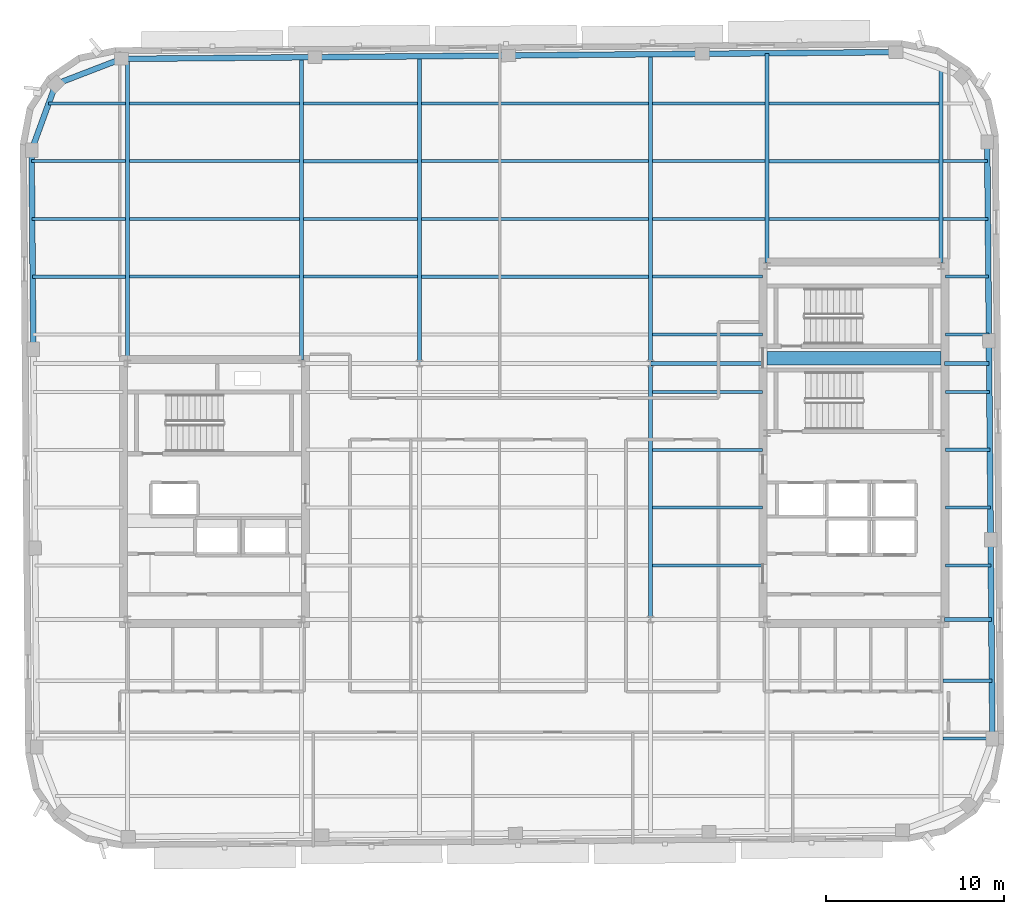
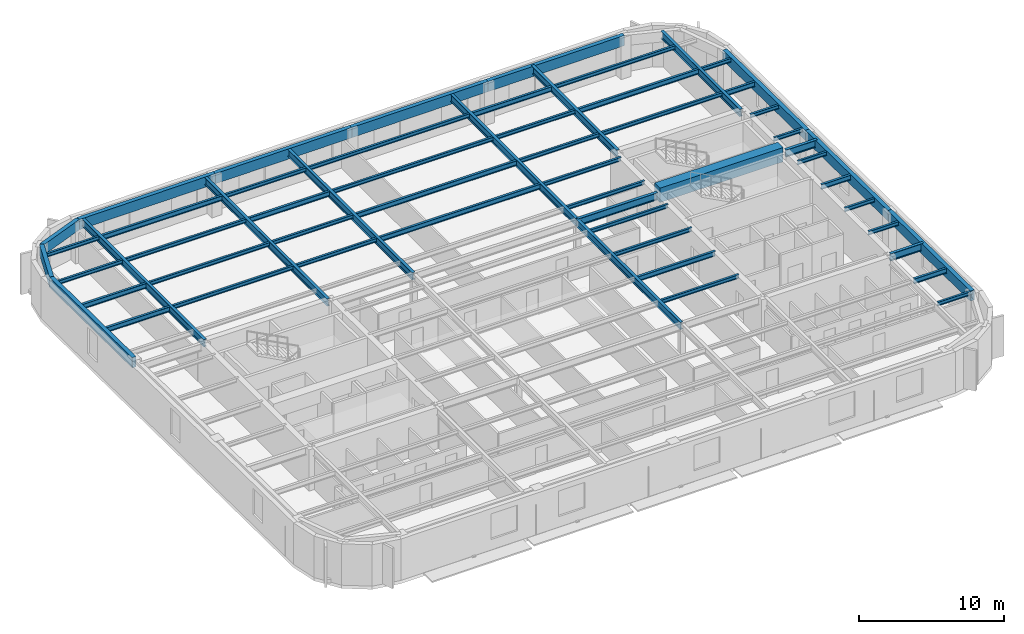
# One storey, part 5 of 15: 59 beams.
"""IFC4 building model written with IfcOpenShell, lengths in metres."""

from ifc_helpers import new_model, si_unit, direction, frame, origin, origin_2d, place, context, subcontext, project, spatial, rectangle, hollow_rectangle, i_section, extrude, material, material_profile, profile_set, type_object, element, save


model = new_model("IFC4")

# Units and contexts
model_context = context("Model", 3, precision=1e-05, world=origin(), true_north=direction((0.0, 1.0)))
body_context = subcontext(model_context, "Body", "Model", "MODEL_VIEW")
ifc_project = project(units=[si_unit("LENGTHUNIT", "METRE"), si_unit("AREAUNIT", "SQUARE_METRE"), si_unit("VOLUMEUNIT", "CUBIC_METRE"), si_unit("PLANEANGLEUNIT", "RADIAN"), si_unit("MASSUNIT", "GRAM", prefix="KILO")], contexts=[model_context])

# Site, building, storey
site_placement = place(None, origin())
site = spatial("IfcSite", under=ifc_project, at=site_placement, CompositionType="ELEMENT")
building_placement = place(site_placement, origin())
building = spatial("IfcBuilding", under=site, at=building_placement, Name="Kolvaren Arena Tower", CompositionType="ELEMENT")
storey_placement = place(building_placement, frame((0.0, 0.0, 282.39990234375)))
storey = spatial("IfcBuildingStorey", under=building, at=storey_placement, Name="L69", CompositionType="ELEMENT", Elevation=282.39990234375)

# Beams
ifc_material_1 = material(Name="Steel CSA G40.21 350W", Category="steel")
ifc_material_profile_1 = material_profile(ifc_material_1, i_section(OverallWidth=0.180908203125, OverallDepth=0.4169921875, WebThickness=0.010986328125, FlangeThickness=0.018310546875, FilletRadius=0.011962890625, at=origin_2d()), Name="W410x85")
ifc_profile_set_1 = profile_set([ifc_material_profile_1], Name="Steel CSA G40.21 350W")
beam_type_1 = type_object("IfcBeamType", Name="BEAM-F3", PredefinedType="BEAM", material=ifc_profile_set_1)
beam_1_placement = place(storey_placement, frame((60.464111328125, 16.0, 3.271484375), z_axis=(1.0, 0.0, 0.0), x_axis=(0.0, 1.0, 0.0)))
element("IfcBeam", 1, at=beam_1_placement, inside=storey, type_object=beam_type_1, Name="Composite Floor Beam (L69)", PredefinedType="BEAM", context=body_context, shape_type="SweptSolid", body=[
    extrude(i_section(OverallWidth=0.180908203125, OverallDepth=0.4169921875, WebThickness=0.010986328125, FlangeThickness=0.018310546875, FilletRadius=0.011962890625, at=origin_2d()), origin(), (0.0, 0.0, 1.0), 2.7529296875),
])
beam_2_placement = place(storey_placement, frame((44.114013671875, 25.75, 3.271484375), z_axis=(1.0, 0.0, 0.0), x_axis=(0.0, 1.0, 0.0)))
element("IfcBeam", 2, at=beam_2_placement, inside=storey, type_object=beam_type_1, Name="Composite Floor Beam (L69)", PredefinedType="BEAM", context=body_context, shape_type="SweptSolid", body=[
    extrude(i_section(OverallWidth=0.180908203125, OverallDepth=0.4169921875, WebThickness=0.010986328125, FlangeThickness=0.018310546875, FilletRadius=0.011962890625, at=origin_2d()), origin(), (0.0, 0.0, 1.0), 6.19091796875),
])
beam_3_placement = place(storey_placement, frame((60.594970703125, 29.0, 3.271484375), z_axis=(1.0, 0.0, 0.0), x_axis=(0.0, 1.0, 0.0)))
element("IfcBeam", 3, at=beam_3_placement, inside=storey, type_object=beam_type_1, Name="Composite Floor Beam (L69)", PredefinedType="BEAM", context=body_context, shape_type="SweptSolid", body=[
    extrude(i_section(OverallWidth=0.180908203125, OverallDepth=0.4169921875, WebThickness=0.010986328125, FlangeThickness=0.018310546875, FilletRadius=0.011962890625, at=origin_2d()), origin(), (0.0, 0.0, 1.0), 2.508544921875),
])
beam_4_placement = place(storey_placement, frame((9.216552734375, 38.75, 3.271484375), z_axis=(1.0, 0.0, 0.0), x_axis=(0.0, 1.0, 0.0)))
element("IfcBeam", 4, at=beam_4_placement, inside=storey, type_object=beam_type_1, Name="Composite Floor Beam (L69)", PredefinedType="BEAM", context=body_context, shape_type="SweptSolid", body=[
    extrude(i_section(OverallWidth=0.180908203125, OverallDepth=0.4169921875, WebThickness=0.010986328125, FlangeThickness=0.018310546875, FilletRadius=0.011962890625, at=origin_2d()), origin(), (0.0, 0.0, 1.0), 5.219482421875),
])
beam_5_placement = place(storey_placement, frame((31.114013671875, 38.75, 3.271484375), z_axis=(1.0, 0.0, 0.0), x_axis=(0.0, 1.0, 0.0)))
element("IfcBeam", 5, at=beam_5_placement, inside=storey, type_object=beam_type_1, Name="Composite Floor Beam (L69)", PredefinedType="BEAM", context=body_context, shape_type="SweptSolid", body=[
    extrude(i_section(OverallWidth=0.180908203125, OverallDepth=0.4169921875, WebThickness=0.010986328125, FlangeThickness=0.018310546875, FilletRadius=0.011962890625, at=origin_2d()), origin(), (0.0, 0.0, 1.0), 12.77197265625),
])
beam_6_placement = place(storey_placement, frame((9.18798828125, 42.0, 3.271484375), z_axis=(1.0, 0.0, 0.0), x_axis=(0.0, 1.0, 0.0)))
element("IfcBeam", 6, at=beam_6_placement, inside=storey, type_object=beam_type_1, Name="Composite Floor Beam (L69)", PredefinedType="BEAM", context=body_context, shape_type="SweptSolid", body=[
    extrude(i_section(OverallWidth=0.180908203125, OverallDepth=0.4169921875, WebThickness=0.010986328125, FlangeThickness=0.018310546875, FilletRadius=0.011962890625, at=origin_2d()), origin(), (0.0, 0.0, 1.0), 5.248046875),
])
beam_7_placement = place(storey_placement, frame((31.114013671875, 42.0, 3.271484375), z_axis=(1.0, 0.0, 0.0), x_axis=(0.0, 1.0, 0.0)))
element("IfcBeam", 7, at=beam_7_placement, inside=storey, type_object=beam_type_1, Name="Composite Floor Beam (L69)", PredefinedType="BEAM", context=body_context, shape_type="SweptSolid", body=[
    extrude(i_section(OverallWidth=0.180908203125, OverallDepth=0.4169921875, WebThickness=0.010986328125, FlangeThickness=0.018310546875, FilletRadius=0.011962890625, at=origin_2d()), origin(), (0.0, 0.0, 1.0), 12.77197265625),
])
beam_8_placement = place(storey_placement, frame((60.464111328125, 42.0, 3.271484375), z_axis=(1.0, 0.0, 0.0), x_axis=(0.0, 1.0, 0.0)))
element("IfcBeam", 8, at=beam_8_placement, inside=storey, type_object=beam_type_1, Name="Composite Floor Beam (L69)", PredefinedType="BEAM", context=body_context, shape_type="SweptSolid", body=[
    extrude(i_section(OverallWidth=0.180908203125, OverallDepth=0.4169921875, WebThickness=0.010986328125, FlangeThickness=0.018310546875, FilletRadius=0.011962890625, at=origin_2d()), origin(), (0.0, 0.0, 1.0), 2.526123046875),
])
beam_9_placement = place(storey_placement, frame((24.464111328125, 45.25, 3.271484375), z_axis=(1.0, 0.0, 0.0), x_axis=(0.0, 1.0, 0.0)))
element("IfcBeam", 9, at=beam_9_placement, inside=storey, type_object=beam_type_1, Name="Composite Floor Beam (L69)", PredefinedType="BEAM", context=body_context, shape_type="SweptSolid", body=[
    extrude(i_section(OverallWidth=0.180908203125, OverallDepth=0.4169921875, WebThickness=0.010986328125, FlangeThickness=0.018310546875, FilletRadius=0.011962890625, at=origin_2d()), origin(), (0.0, 0.0, 1.0), 6.421875),
])
for number, where, z_axis, x_axis, name in (
    (10, (50.6640625, 45.25, 3.271484375), (1.0, 0.0, 0.0), (0.0, 1.0, 0.0), "Composite Floor Beam (L69)"),
    (11, (14.6640625, 48.5, 3.271484375), (1.0, 0.0, 0.0), (0.0, 1.0, 0.0), "Composite Floor Beam (L69)"),
):
    element("IfcBeam", number, at=place(storey_placement, frame(where, z_axis=z_axis, x_axis=x_axis)), inside=storey, type_object=beam_type_1, Name=name, PredefinedType="BEAM", context=body_context, shape_type="SweptSolid", body=[
        extrude(i_section(OverallWidth=0.180908203125, OverallDepth=0.4169921875, WebThickness=0.010986328125, FlangeThickness=0.018310546875, FilletRadius=0.011962890625, at=origin_2d()), origin(), (0.0, 0.0, 1.0), 9.572021484375),
    ])
beam_10_placement = place(storey_placement, frame((44.114013671875, 48.5, 3.271484375), z_axis=(1.0, 0.0, 0.0), x_axis=(0.0, 1.0, 0.0)))
element("IfcBeam", 12, at=beam_10_placement, inside=storey, type_object=beam_type_1, Name="Composite Floor Beam (L69)", PredefinedType="BEAM", context=body_context, shape_type="SweptSolid", body=[
    extrude(i_section(OverallWidth=0.180908203125, OverallDepth=0.4169921875, WebThickness=0.010986328125, FlangeThickness=0.018310546875, FilletRadius=0.011962890625, at=origin_2d()), origin(), (0.0, 0.0, 1.0), 6.322021484375),
])
ifc_material_2 = material(Name="Concrete 60 MPa", Category="concrete")
ifc_material_profile_2 = material_profile(ifc_material_2, rectangle(XDim=0.75, YDim=1.199951171875, at=origin_2d()), Name="RC-750x1200")
ifc_profile_set_2 = profile_set([ifc_material_profile_2], Name="Concrete 60 MPa")
beam_type_2 = type_object("IfcBeamType", Name="CB-CORE-2", PredefinedType="BEAM", material=ifc_profile_set_2)
beam_11_placement = place(storey_placement, frame((50.550048828125, 34.14990234375, 3.150146484375), z_axis=(1.0, 0.0, 0.0), x_axis=(0.0, 1.0, 0.0)))
element("IfcBeam", 13, at=beam_11_placement, inside=storey, type_object=beam_type_2, Name="East Core Coupling Beam (L69)", PredefinedType="BEAM", context=body_context, shape_type="SweptSolid", body=[
    extrude(rectangle(XDim=0.75, YDim=1.199951171875, at=origin_2d()), origin(), (0.0, 0.0, 1.0), 9.800048828125),
])
ifc_material_profile_3 = material_profile(ifc_material_1, i_section(OverallWidth=0.22802734375, OverallDepth=0.615966796875, WebThickness=0.013916015625, FlangeThickness=0.02490234375, FilletRadius=0.014892578125, at=origin_2d()), Name="W610x174")
ifc_profile_set_3 = profile_set([ifc_material_profile_3], Name="Steel CSA G40.21 350W")
beam_type_3 = type_object("IfcBeamType", Name="GIRD-T3", PredefinedType="BEAM", material=ifc_profile_set_3)
beam_12_placement = place(storey_placement, frame((60.554931640625, 19.449951171875, 3.172119140625), z_axis=(1.0, 0.0, 0.0), x_axis=(0.0, 1.0, 0.0)))
element("IfcBeam", 14, at=beam_12_placement, inside=storey, type_object=beam_type_3, Name="Primary Floor Girder (L69)", PredefinedType="BEAM", context=body_context, shape_type="SweptSolid", body=[
    extrude(i_section(OverallWidth=0.22802734375, OverallDepth=0.615966796875, WebThickness=0.013916015625, FlangeThickness=0.02490234375, FilletRadius=0.014892578125, at=origin_2d()), origin(), (0.0, 0.0, 1.0), 2.632080078125),
])
beam_13_placement = place(storey_placement, frame((44.0, 33.85009765625, 3.172119140625), z_axis=(1.0, 0.0, 0.0), x_axis=(0.0, 1.0, 0.0)))
element("IfcBeam", 15, at=beam_13_placement, inside=storey, type_object=beam_type_3, Name="Primary Floor Girder (L69)", PredefinedType="BEAM", context=body_context, shape_type="SweptSolid", body=[
    extrude(i_section(OverallWidth=0.22802734375, OverallDepth=0.615966796875, WebThickness=0.013916015625, FlangeThickness=0.02490234375, FilletRadius=0.014892578125, at=origin_2d()), origin(), (0.0, 0.0, 1.0), 6.344970703125),
])
beam_14_placement = place(storey_placement, frame((60.554931640625, 33.85009765625, 3.172119140625), z_axis=(1.0, 0.0, 0.0), x_axis=(0.0, 1.0, 0.0)))
element("IfcBeam", 16, at=beam_14_placement, inside=storey, type_object=beam_type_3, Name="Primary Floor Girder (L69)", PredefinedType="BEAM", context=body_context, shape_type="SweptSolid", body=[
    extrude(i_section(OverallWidth=0.22802734375, OverallDepth=0.615966796875, WebThickness=0.013916015625, FlangeThickness=0.02490234375, FilletRadius=0.014892578125, at=origin_2d()), origin(), (0.0, 0.0, 1.0), 2.50634765625),
])
beam_15_placement = place(storey_placement, frame((14.550048828125, 34.054931640625, 3.172119140625), z_axis=(0.0, 1.0, 0.0), x_axis=(-1.0, 0.0, 0.0)))
element("IfcBeam", 17, at=beam_15_placement, inside=storey, type_object=beam_type_3, Name="Primary Floor Girder (L69)", PredefinedType="BEAM", context=body_context, shape_type="SweptSolid", body=[
    extrude(i_section(OverallWidth=0.22802734375, OverallDepth=0.615966796875, WebThickness=0.013916015625, FlangeThickness=0.02490234375, FilletRadius=0.014892578125, at=origin_2d()), origin(), (0.0, 0.0, 1.0), 16.95703125),
])
beam_16_placement = place(storey_placement, frame((24.35009765625, 34.054931640625, 3.172119140625), z_axis=(0.0, 1.0, 0.0), x_axis=(-1.0, 0.0, 0.0)))
element("IfcBeam", 18, at=beam_16_placement, inside=storey, type_object=beam_type_3, Name="Primary Floor Girder (L69)", PredefinedType="BEAM", context=body_context, shape_type="SweptSolid", body=[
    extrude(i_section(OverallWidth=0.22802734375, OverallDepth=0.615966796875, WebThickness=0.013916015625, FlangeThickness=0.02490234375, FilletRadius=0.014892578125, at=origin_2d()), origin(), (0.0, 0.0, 1.0), 17.04248046875),
])
beam_17_placement = place(storey_placement, frame((31.0, 33.85009765625, 3.172119140625), z_axis=(0.0, 1.0, 0.0), x_axis=(-1.0, 0.0, 0.0)))
element("IfcBeam", 19, at=beam_17_placement, inside=storey, type_object=beam_type_3, Name="Primary Floor Girder (L69)", PredefinedType="BEAM", context=body_context, shape_type="SweptSolid", body=[
    extrude(i_section(OverallWidth=0.22802734375, OverallDepth=0.615966796875, WebThickness=0.013916015625, FlangeThickness=0.02490234375, FilletRadius=0.014892578125, at=origin_2d()), origin(), (0.0, 0.0, 1.0), 17.305419921875),
])
beam_18_placement = place(storey_placement, frame((44.0, 19.449951171875, 3.172119140625), z_axis=(0.0, 1.0, 0.0), x_axis=(-1.0, 0.0, 0.0)))
element("IfcBeam", 20, at=beam_18_placement, inside=storey, type_object=beam_type_3, Name="Primary Floor Girder (L69)", PredefinedType="BEAM", context=body_context, shape_type="SweptSolid", body=[
    extrude(i_section(OverallWidth=0.22802734375, OverallDepth=0.615966796875, WebThickness=0.013916015625, FlangeThickness=0.02490234375, FilletRadius=0.014892578125, at=origin_2d()), origin(), (0.0, 0.0, 1.0), 14.400146484375),
])
beam_19_placement = place(storey_placement, frame((44.0, 33.85009765625, 3.172119140625), z_axis=(0.0, 1.0, 0.0), x_axis=(-1.0, 0.0, 0.0)))
element("IfcBeam", 21, at=beam_19_placement, inside=storey, type_object=beam_type_3, Name="Primary Floor Girder (L69)", PredefinedType="BEAM", context=body_context, shape_type="SweptSolid", body=[
    extrude(i_section(OverallWidth=0.22802734375, OverallDepth=0.615966796875, WebThickness=0.013916015625, FlangeThickness=0.02490234375, FilletRadius=0.014892578125, at=origin_2d()), origin(), (0.0, 0.0, 1.0), 17.418701171875),
])
beam_20_placement = place(storey_placement, frame((50.550048828125, 39.554931640625, 3.172119140625), z_axis=(0.0, 1.0, 0.0), x_axis=(-1.0, 0.0, 0.0)))
element("IfcBeam", 22, at=beam_20_placement, inside=storey, type_object=beam_type_3, Name="Primary Floor Girder (L69)", PredefinedType="BEAM", context=body_context, shape_type="SweptSolid", body=[
    extrude(i_section(OverallWidth=0.22802734375, OverallDepth=0.615966796875, WebThickness=0.013916015625, FlangeThickness=0.02490234375, FilletRadius=0.014892578125, at=origin_2d()), origin(), (0.0, 0.0, 1.0), 11.771240234375),
])
beam_21_placement = place(storey_placement, frame((60.35009765625, 39.554931640625, 3.172119140625), z_axis=(0.0, 1.0, 0.0), x_axis=(-1.0, 0.0, 0.0)))
element("IfcBeam", 23, at=beam_21_placement, inside=storey, type_object=beam_type_3, Name="Primary Floor Girder (L69)", PredefinedType="BEAM", context=body_context, shape_type="SweptSolid", body=[
    extrude(i_section(OverallWidth=0.22802734375, OverallDepth=0.615966796875, WebThickness=0.013916015625, FlangeThickness=0.02490234375, FilletRadius=0.014892578125, at=origin_2d()), origin(), (0.0, 0.0, 1.0), 10.90625),
])
ifc_material_profile_4 = material_profile(ifc_material_1, i_section(OverallWidth=0.1669921875, OverallDepth=0.31689453125, WebThickness=0.007568359375, FlangeThickness=0.01318359375, FilletRadius=0.010009765625, at=origin_2d()), Name="W310x52")
ifc_profile_set_4 = profile_set([ifc_material_profile_4], Name="Steel CSA G40.21 350W")
beam_type_4 = type_object("IfcBeamType", Name="JOIST-02", PredefinedType="JOIST", material=ifc_profile_set_4)
beam_22_placement = place(storey_placement, frame((60.464111328125, 12.75, 3.321533203125), z_axis=(1.0, 0.0, 0.0), x_axis=(0.0, 1.0, 0.0)))
element("IfcBeam", 24, at=beam_22_placement, inside=storey, type_object=beam_type_4, Name="Composite Floor Joist (L69)", PredefinedType="JOIST", context=body_context, shape_type="SweptSolid", body=[
    extrude(i_section(OverallWidth=0.1669921875, OverallDepth=0.31689453125, WebThickness=0.007568359375, FlangeThickness=0.01318359375, FilletRadius=0.010009765625, at=origin_2d()), origin(), (0.0, 0.0, 1.0), 2.781494140625),
])
beam_23_placement = place(storey_placement, frame((44.114013671875, 22.5, 3.321533203125), z_axis=(1.0, 0.0, 0.0), x_axis=(0.0, 1.0, 0.0)))
element("IfcBeam", 25, at=beam_23_placement, inside=storey, type_object=beam_type_4, Name="Composite Floor Joist (L69)", PredefinedType="JOIST", context=body_context, shape_type="SweptSolid", body=[
    extrude(i_section(OverallWidth=0.1669921875, OverallDepth=0.31689453125, WebThickness=0.007568359375, FlangeThickness=0.01318359375, FilletRadius=0.010009765625, at=origin_2d()), origin(), (0.0, 0.0, 1.0), 6.19091796875),
])
beam_24_placement = place(storey_placement, frame((60.594970703125, 22.5, 3.321533203125), z_axis=(1.0, 0.0, 0.0), x_axis=(0.0, 1.0, 0.0)))
element("IfcBeam", 26, at=beam_24_placement, inside=storey, type_object=beam_type_4, Name="Composite Floor Joist (L69)", PredefinedType="JOIST", context=body_context, shape_type="SweptSolid", body=[
    extrude(i_section(OverallWidth=0.1669921875, OverallDepth=0.31689453125, WebThickness=0.007568359375, FlangeThickness=0.01318359375, FilletRadius=0.010009765625, at=origin_2d()), origin(), (0.0, 0.0, 1.0), 2.5654296875),
])
beam_25_placement = place(storey_placement, frame((60.594970703125, 25.75, 3.321533203125), z_axis=(1.0, 0.0, 0.0), x_axis=(0.0, 1.0, 0.0)))
element("IfcBeam", 27, at=beam_25_placement, inside=storey, type_object=beam_type_4, Name="Composite Floor Joist (L69)", PredefinedType="JOIST", context=body_context, shape_type="SweptSolid", body=[
    extrude(i_section(OverallWidth=0.1669921875, OverallDepth=0.31689453125, WebThickness=0.007568359375, FlangeThickness=0.01318359375, FilletRadius=0.010009765625, at=origin_2d()), origin(), (0.0, 0.0, 1.0), 2.537109375),
])
for number, where, z_axis, x_axis, name in (
    (28, (44.114013671875, 29.0, 3.321533203125), (1.0, 0.0, 0.0), (0.0, 1.0, 0.0), "Composite Floor Joist (L69)"),
    (29, (44.114013671875, 32.25, 3.321533203125), (1.0, 0.0, 0.0), (0.0, 1.0, 0.0), "Composite Floor Joist (L69)"),
):
    element("IfcBeam", number, at=place(storey_placement, frame(where, z_axis=z_axis, x_axis=x_axis)), inside=storey, type_object=beam_type_4, Name=name, PredefinedType="JOIST", context=body_context, shape_type="SweptSolid", body=[
        extrude(i_section(OverallWidth=0.1669921875, OverallDepth=0.31689453125, WebThickness=0.007568359375, FlangeThickness=0.01318359375, FilletRadius=0.010009765625, at=origin_2d()), origin(), (0.0, 0.0, 1.0), 6.19091796875),
    ])
beam_26_placement = place(storey_placement, frame((60.594970703125, 32.25, 3.321533203125), z_axis=(1.0, 0.0, 0.0), x_axis=(0.0, 1.0, 0.0)))
element("IfcBeam", 30, at=beam_26_placement, inside=storey, type_object=beam_type_4, Name="Composite Floor Joist (L69)", PredefinedType="JOIST", context=body_context, shape_type="SweptSolid", body=[
    extrude(i_section(OverallWidth=0.1669921875, OverallDepth=0.31689453125, WebThickness=0.007568359375, FlangeThickness=0.01318359375, FilletRadius=0.010009765625, at=origin_2d()), origin(), (0.0, 0.0, 1.0), 2.480224609375),
])
beam_27_placement = place(storey_placement, frame((44.114013671875, 35.5, 3.321533203125), z_axis=(1.0, 0.0, 0.0), x_axis=(0.0, 1.0, 0.0)))
element("IfcBeam", 31, at=beam_27_placement, inside=storey, type_object=beam_type_4, Name="Composite Floor Joist (L69)", PredefinedType="JOIST", context=body_context, shape_type="SweptSolid", body=[
    extrude(i_section(OverallWidth=0.1669921875, OverallDepth=0.31689453125, WebThickness=0.007568359375, FlangeThickness=0.01318359375, FilletRadius=0.010009765625, at=origin_2d()), origin(), (0.0, 0.0, 1.0), 6.19091796875),
])
beam_28_placement = place(storey_placement, frame((60.594970703125, 35.5, 3.321533203125), z_axis=(1.0, 0.0, 0.0), x_axis=(0.0, 1.0, 0.0)))
element("IfcBeam", 32, at=beam_28_placement, inside=storey, type_object=beam_type_4, Name="Composite Floor Joist (L69)", PredefinedType="JOIST", context=body_context, shape_type="SweptSolid", body=[
    extrude(i_section(OverallWidth=0.1669921875, OverallDepth=0.31689453125, WebThickness=0.007568359375, FlangeThickness=0.01318359375, FilletRadius=0.010009765625, at=origin_2d()), origin(), (0.0, 0.0, 1.0), 2.451904296875),
])
beam_29_placement = place(storey_placement, frame((14.6640625, 38.75, 3.321533203125), z_axis=(1.0, 0.0, 0.0), x_axis=(0.0, 1.0, 0.0)))
element("IfcBeam", 33, at=beam_29_placement, inside=storey, type_object=beam_type_4, Name="Composite Floor Joist (L69)", PredefinedType="JOIST", context=body_context, shape_type="SweptSolid", body=[
    extrude(i_section(OverallWidth=0.1669921875, OverallDepth=0.31689453125, WebThickness=0.007568359375, FlangeThickness=0.01318359375, FilletRadius=0.010009765625, at=origin_2d()), origin(), (0.0, 0.0, 1.0), 9.572021484375),
])
beam_30_placement = place(storey_placement, frame((24.464111328125, 38.75, 3.321533203125), z_axis=(1.0, 0.0, 0.0), x_axis=(0.0, 1.0, 0.0)))
element("IfcBeam", 34, at=beam_30_placement, inside=storey, type_object=beam_type_4, Name="Composite Floor Joist (L69)", PredefinedType="JOIST", context=body_context, shape_type="SweptSolid", body=[
    extrude(i_section(OverallWidth=0.1669921875, OverallDepth=0.31689453125, WebThickness=0.007568359375, FlangeThickness=0.01318359375, FilletRadius=0.010009765625, at=origin_2d()), origin(), (0.0, 0.0, 1.0), 6.421875),
])
beam_31_placement = place(storey_placement, frame((44.114013671875, 38.75, 3.321533203125), z_axis=(1.0, 0.0, 0.0), x_axis=(0.0, 1.0, 0.0)))
element("IfcBeam", 35, at=beam_31_placement, inside=storey, type_object=beam_type_4, Name="Composite Floor Joist (L69)", PredefinedType="JOIST", context=body_context, shape_type="SweptSolid", body=[
    extrude(i_section(OverallWidth=0.1669921875, OverallDepth=0.31689453125, WebThickness=0.007568359375, FlangeThickness=0.01318359375, FilletRadius=0.010009765625, at=origin_2d()), origin(), (0.0, 0.0, 1.0), 6.19091796875),
])
beam_32_placement = place(storey_placement, frame((60.594970703125, 38.75, 3.321533203125), z_axis=(1.0, 0.0, 0.0), x_axis=(0.0, 1.0, 0.0)))
element("IfcBeam", 36, at=beam_32_placement, inside=storey, type_object=beam_type_4, Name="Composite Floor Joist (L69)", PredefinedType="JOIST", context=body_context, shape_type="SweptSolid", body=[
    extrude(i_section(OverallWidth=0.1669921875, OverallDepth=0.31689453125, WebThickness=0.007568359375, FlangeThickness=0.01318359375, FilletRadius=0.010009765625, at=origin_2d()), origin(), (0.0, 0.0, 1.0), 2.423583984375),
])
beam_33_placement = place(storey_placement, frame((14.6640625, 42.0, 3.321533203125), z_axis=(1.0, 0.0, 0.0), x_axis=(0.0, 1.0, 0.0)))
element("IfcBeam", 37, at=beam_33_placement, inside=storey, type_object=beam_type_4, Name="Composite Floor Joist (L69)", PredefinedType="JOIST", context=body_context, shape_type="SweptSolid", body=[
    extrude(i_section(OverallWidth=0.1669921875, OverallDepth=0.31689453125, WebThickness=0.007568359375, FlangeThickness=0.01318359375, FilletRadius=0.010009765625, at=origin_2d()), origin(), (0.0, 0.0, 1.0), 9.572021484375),
])
beam_34_placement = place(storey_placement, frame((24.464111328125, 42.0, 3.321533203125), z_axis=(1.0, 0.0, 0.0), x_axis=(0.0, 1.0, 0.0)))
element("IfcBeam", 38, at=beam_34_placement, inside=storey, type_object=beam_type_4, Name="Composite Floor Joist (L69)", PredefinedType="JOIST", context=body_context, shape_type="SweptSolid", body=[
    extrude(i_section(OverallWidth=0.1669921875, OverallDepth=0.31689453125, WebThickness=0.007568359375, FlangeThickness=0.01318359375, FilletRadius=0.010009765625, at=origin_2d()), origin(), (0.0, 0.0, 1.0), 6.421875),
])
beam_35_placement = place(storey_placement, frame((44.114013671875, 42.0, 3.321533203125), z_axis=(1.0, 0.0, 0.0), x_axis=(0.0, 1.0, 0.0)))
element("IfcBeam", 39, at=beam_35_placement, inside=storey, type_object=beam_type_4, Name="Composite Floor Joist (L69)", PredefinedType="JOIST", context=body_context, shape_type="SweptSolid", body=[
    extrude(i_section(OverallWidth=0.1669921875, OverallDepth=0.31689453125, WebThickness=0.007568359375, FlangeThickness=0.01318359375, FilletRadius=0.010009765625, at=origin_2d()), origin(), (0.0, 0.0, 1.0), 6.322021484375),
])
beam_36_placement = place(storey_placement, frame((50.6640625, 42.0, 3.321533203125), z_axis=(1.0, 0.0, 0.0), x_axis=(0.0, 1.0, 0.0)))
element("IfcBeam", 40, at=beam_36_placement, inside=storey, type_object=beam_type_4, Name="Composite Floor Joist (L69)", PredefinedType="JOIST", context=body_context, shape_type="SweptSolid", body=[
    extrude(i_section(OverallWidth=0.1669921875, OverallDepth=0.31689453125, WebThickness=0.007568359375, FlangeThickness=0.01318359375, FilletRadius=0.010009765625, at=origin_2d()), origin(), (0.0, 0.0, 1.0), 9.572021484375),
])
beam_37_placement = place(storey_placement, frame((9.159912109375, 45.25, 3.321533203125), z_axis=(1.0, 0.0, 0.0), x_axis=(0.0, 1.0, 0.0)))
element("IfcBeam", 41, at=beam_37_placement, inside=storey, type_object=beam_type_4, Name="Composite Floor Joist (L69)", PredefinedType="JOIST", context=body_context, shape_type="SweptSolid", body=[
    extrude(i_section(OverallWidth=0.1669921875, OverallDepth=0.31689453125, WebThickness=0.007568359375, FlangeThickness=0.01318359375, FilletRadius=0.010009765625, at=origin_2d()), origin(), (0.0, 0.0, 1.0), 5.276123046875),
])
beam_38_placement = place(storey_placement, frame((14.6640625, 45.25, 3.321533203125), z_axis=(1.0, 0.0, 0.0), x_axis=(0.0, 1.0, 0.0)))
element("IfcBeam", 42, at=beam_38_placement, inside=storey, type_object=beam_type_4, Name="Composite Floor Joist (L69)", PredefinedType="JOIST", context=body_context, shape_type="SweptSolid", body=[
    extrude(i_section(OverallWidth=0.1669921875, OverallDepth=0.31689453125, WebThickness=0.007568359375, FlangeThickness=0.01318359375, FilletRadius=0.010009765625, at=origin_2d()), origin(), (0.0, 0.0, 1.0), 9.572021484375),
])
beam_39_placement = place(storey_placement, frame((31.114013671875, 45.25, 3.321533203125), z_axis=(1.0, 0.0, 0.0), x_axis=(0.0, 1.0, 0.0)))
element("IfcBeam", 43, at=beam_39_placement, inside=storey, type_object=beam_type_4, Name="Composite Floor Joist (L69)", PredefinedType="JOIST", context=body_context, shape_type="SweptSolid", body=[
    extrude(i_section(OverallWidth=0.1669921875, OverallDepth=0.31689453125, WebThickness=0.007568359375, FlangeThickness=0.01318359375, FilletRadius=0.010009765625, at=origin_2d()), origin(), (0.0, 0.0, 1.0), 12.77197265625),
])
beam_40_placement = place(storey_placement, frame((44.114013671875, 45.25, 3.321533203125), z_axis=(1.0, 0.0, 0.0), x_axis=(0.0, 1.0, 0.0)))
element("IfcBeam", 44, at=beam_40_placement, inside=storey, type_object=beam_type_4, Name="Composite Floor Joist (L69)", PredefinedType="JOIST", context=body_context, shape_type="SweptSolid", body=[
    extrude(i_section(OverallWidth=0.1669921875, OverallDepth=0.31689453125, WebThickness=0.007568359375, FlangeThickness=0.01318359375, FilletRadius=0.010009765625, at=origin_2d()), origin(), (0.0, 0.0, 1.0), 6.322021484375),
])
beam_41_placement = place(storey_placement, frame((60.464111328125, 45.25, 3.321533203125), z_axis=(1.0, 0.0, 0.0), x_axis=(0.0, 1.0, 0.0)))
element("IfcBeam", 45, at=beam_41_placement, inside=storey, type_object=beam_type_4, Name="Composite Floor Joist (L69)", PredefinedType="JOIST", context=body_context, shape_type="SweptSolid", body=[
    extrude(i_section(OverallWidth=0.1669921875, OverallDepth=0.31689453125, WebThickness=0.007568359375, FlangeThickness=0.01318359375, FilletRadius=0.010009765625, at=origin_2d()), origin(), (0.0, 0.0, 1.0), 2.497802734375),
])
beam_42_placement = place(storey_placement, frame((10.11669921875, 48.5, 3.321533203125), z_axis=(1.0, 0.0, 0.0), x_axis=(0.0, 1.0, 0.0)))
element("IfcBeam", 46, at=beam_42_placement, inside=storey, type_object=beam_type_4, Name="Composite Floor Joist (L69)", PredefinedType="JOIST", context=body_context, shape_type="SweptSolid", body=[
    extrude(i_section(OverallWidth=0.1669921875, OverallDepth=0.31689453125, WebThickness=0.007568359375, FlangeThickness=0.01318359375, FilletRadius=0.010009765625, at=origin_2d()), origin(), (0.0, 0.0, 1.0), 4.3193359375),
])
beam_43_placement = place(storey_placement, frame((24.464111328125, 48.5, 3.321533203125), z_axis=(1.0, 0.0, 0.0), x_axis=(0.0, 1.0, 0.0)))
element("IfcBeam", 47, at=beam_43_placement, inside=storey, type_object=beam_type_4, Name="Composite Floor Joist (L69)", PredefinedType="JOIST", context=body_context, shape_type="SweptSolid", body=[
    extrude(i_section(OverallWidth=0.1669921875, OverallDepth=0.31689453125, WebThickness=0.007568359375, FlangeThickness=0.01318359375, FilletRadius=0.010009765625, at=origin_2d()), origin(), (0.0, 0.0, 1.0), 6.421875),
])
beam_44_placement = place(storey_placement, frame((31.114013671875, 48.5, 3.321533203125), z_axis=(1.0, 0.0, 0.0), x_axis=(0.0, 1.0, 0.0)))
element("IfcBeam", 48, at=beam_44_placement, inside=storey, type_object=beam_type_4, Name="Composite Floor Joist (L69)", PredefinedType="JOIST", context=body_context, shape_type="SweptSolid", body=[
    extrude(i_section(OverallWidth=0.1669921875, OverallDepth=0.31689453125, WebThickness=0.007568359375, FlangeThickness=0.01318359375, FilletRadius=0.010009765625, at=origin_2d()), origin(), (0.0, 0.0, 1.0), 12.77197265625),
])
beam_45_placement = place(storey_placement, frame((50.6640625, 48.5, 3.321533203125), z_axis=(1.0, 0.0, 0.0), x_axis=(0.0, 1.0, 0.0)))
element("IfcBeam", 49, at=beam_45_placement, inside=storey, type_object=beam_type_4, Name="Composite Floor Joist (L69)", PredefinedType="JOIST", context=body_context, shape_type="SweptSolid", body=[
    extrude(i_section(OverallWidth=0.1669921875, OverallDepth=0.31689453125, WebThickness=0.007568359375, FlangeThickness=0.01318359375, FilletRadius=0.010009765625, at=origin_2d()), origin(), (0.0, 0.0, 1.0), 9.572021484375),
])
ifc_material_3 = material(Name="Steel CSA G40.21 350WT", Category="steel")
ifc_material_profile_5 = material_profile(ifc_material_3, hollow_rectangle(XDim=0.320068359375, YDim=0.860107421875, WallThickness=0.01806640625, at=origin_2d()), Name="HSS 860x320x18")
ifc_profile_set_5 = profile_set([ifc_material_profile_5], Name="Steel CSA G40.21 350WT")
beam_type_5 = type_object("IfcBeamType", Name="SPAND-02", PredefinedType="SPANDREL", material=ifc_profile_set_5)
beam_46_placement = place(storey_placement, frame((63.24560546875, 12.7353515625, 3.050048828125), z_axis=(-0.008741001013, 0.999961796721, 0.0), x_axis=(-0.999961796721, -0.008741001013, 0.0)))
element("IfcBeam", 50, at=beam_46_placement, inside=storey, type_object=beam_type_5, Name="Perimeter Spandrel Beam (L69)", PredefinedType="SPANDREL", context=body_context, shape_type="SweptSolid", body=[
    extrude(hollow_rectangle(XDim=0.320068359375, YDim=0.860107421875, WallThickness=0.01806640625, at=origin_2d()), origin(), (0.0, 0.0, 1.0), 11.2001953125),
])
for number, where, z_axis, x_axis, name in (
    (51, (63.147705078125, 23.93505859375, 3.050048828125), (-0.008719394723, 0.999961985355, 0.0), (-0.999961985355, -0.008719394723, 0.0), "Perimeter Spandrel Beam (L69)"),
    (52, (63.050048828125, 35.134521484375, 3.050048828125), (-0.008719394723, 0.999961985355, 0.0), (-0.999961985355, -0.008719394723, 0.0), "Perimeter Spandrel Beam (L69)"),
):
    element("IfcBeam", number, at=place(storey_placement, frame(where, z_axis=z_axis, x_axis=x_axis)), inside=storey, type_object=beam_type_5, Name=name, PredefinedType="SPANDREL", context=body_context, shape_type="SweptSolid", body=[
        extrude(hollow_rectangle(XDim=0.320068359375, YDim=0.860107421875, WallThickness=0.01806640625, at=origin_2d()), origin(), (0.0, 0.0, 1.0), 11.199951171875),
    ])
for number, where, z_axis, x_axis, name in (
    (53, (57.80810546875, 51.389404296875, 3.050048828125), (-0.999961846999, -0.008735247404, 0.0), (0.008735247404, -0.999961846999, 0.0), "Perimeter Spandrel Beam (L69)"),
    (54, (46.908447265625, 51.294189453125, 3.050048828125), (-0.999962042393, -0.008712851036, 0.0), (0.008712851036, -0.999962042393, 0.0), "Perimeter Spandrel Beam (L69)"),
):
    element("IfcBeam", number, at=place(storey_placement, frame(where, z_axis=z_axis, x_axis=x_axis)), inside=storey, type_object=beam_type_5, Name=name, PredefinedType="SPANDREL", context=body_context, shape_type="SweptSolid", body=[
        extrude(hollow_rectangle(XDim=0.320068359375, YDim=0.860107421875, WallThickness=0.01806640625, at=origin_2d()), origin(), (0.0, 0.0, 1.0), 10.900146484375),
    ])
beam_47_placement = place(storey_placement, frame((36.0087890625, 51.19921875, 3.050048828125), z_axis=(-0.999961845289, -0.008735443053, 0.0), x_axis=(0.008735443053, -0.999961845289, 0.0)))
element("IfcBeam", 55, at=beam_47_placement, inside=storey, type_object=beam_type_5, Name="Perimeter Spandrel Beam (L69)", PredefinedType="SPANDREL", context=body_context, shape_type="SweptSolid", body=[
    extrude(hollow_rectangle(XDim=0.320068359375, YDim=0.860107421875, WallThickness=0.01806640625, at=origin_2d()), origin(), (0.0, 0.0, 1.0), 10.89990234375),
])
beam_48_placement = place(storey_placement, frame((25.109375, 51.10400390625, 3.050048828125), z_axis=(-0.999961846999, -0.008735247404, 0.0), x_axis=(0.008735247404, -0.999961846999, 0.0)))
element("IfcBeam", 56, at=beam_48_placement, inside=storey, type_object=beam_type_5, Name="Perimeter Spandrel Beam (L69)", PredefinedType="SPANDREL", context=body_context, shape_type="SweptSolid", body=[
    extrude(hollow_rectangle(XDim=0.320068359375, YDim=0.860107421875, WallThickness=0.01806640625, at=origin_2d()), origin(), (0.0, 0.0, 1.0), 10.900146484375),
])
beam_49_placement = place(storey_placement, frame((14.209716796875, 51.0087890625, 3.050048828125), z_axis=(-0.933210515777, -0.359330117362, 0.0), x_axis=(0.359330117362, -0.933210515777, 0.0)))
element("IfcBeam", 57, at=beam_49_placement, inside=storey, type_object=beam_type_5, Name="Perimeter Spandrel Beam (L69)", PredefinedType="SPANDREL", context=body_context, shape_type="SweptSolid", body=[
    extrude(hollow_rectangle(XDim=0.320068359375, YDim=0.860107421875, WallThickness=0.01806640625, at=origin_2d()), origin(), (0.0, 0.0, 1.0), 3.961181640625),
])
beam_50_placement = place(storey_placement, frame((10.51318359375, 49.58544921875, 3.050048828125), z_axis=(-0.343039242335, -0.939321073019, 0.0), x_axis=(0.939321073019, -0.343039242335, 0.0)))
element("IfcBeam", 58, at=beam_50_placement, inside=storey, type_object=beam_type_5, Name="Perimeter Spandrel Beam (L69)", PredefinedType="SPANDREL", context=body_context, shape_type="SweptSolid", body=[
    extrude(hollow_rectangle(XDim=0.320068359375, YDim=0.860107421875, WallThickness=0.01806640625, at=origin_2d()), origin(), (0.0, 0.0, 1.0), 3.96142578125),
])
beam_51_placement = place(storey_placement, frame((9.154296875, 45.864501953125, 3.050048828125), z_axis=(0.008741191547, -0.999961795055, 0.0), x_axis=(0.999961795055, 0.008741191547, 0.0)))
element("IfcBeam", 59, at=beam_51_placement, inside=storey, type_object=beam_type_5, Name="Perimeter Spandrel Beam (L69)", PredefinedType="SPANDREL", context=body_context, shape_type="SweptSolid", body=[
    extrude(hollow_rectangle(XDim=0.320068359375, YDim=0.860107421875, WallThickness=0.01806640625, at=origin_2d()), origin(), (0.0, 0.0, 1.0), 11.199951171875),
])

save(model, "model.ifc")
